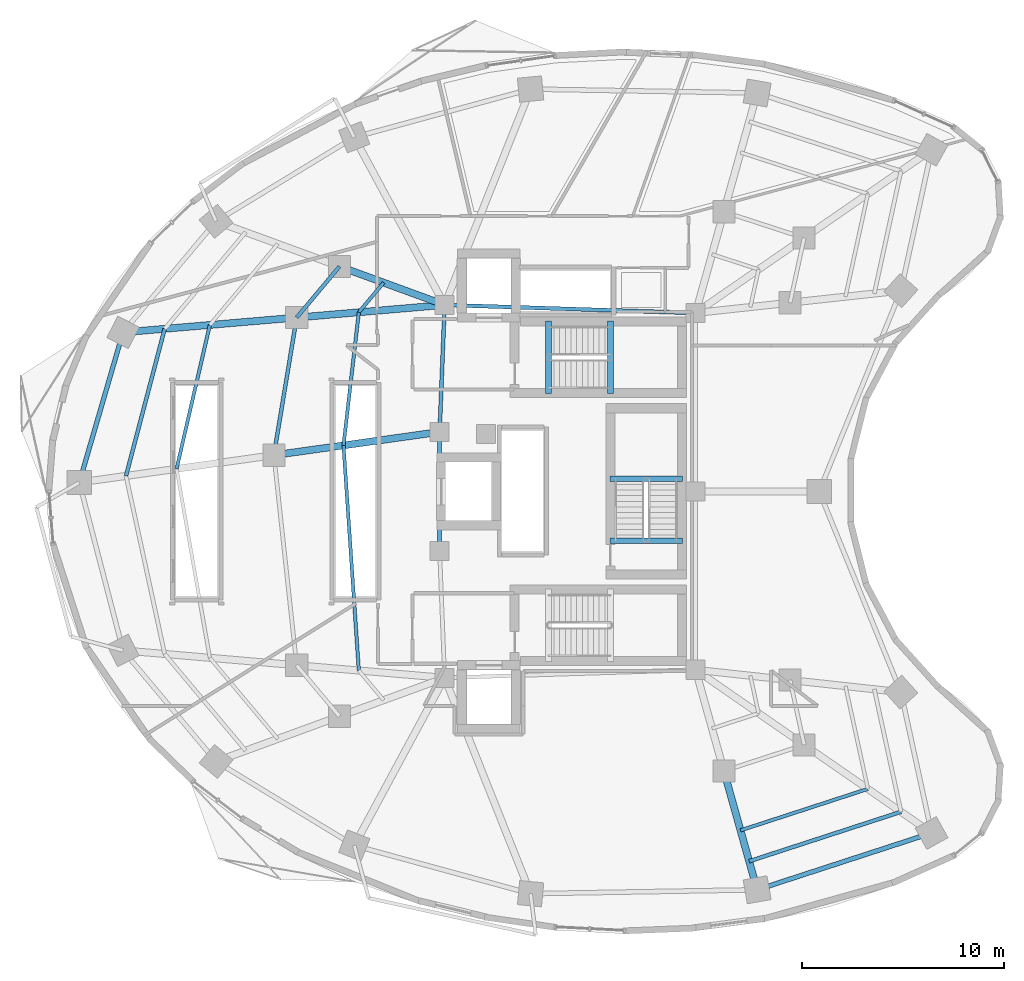
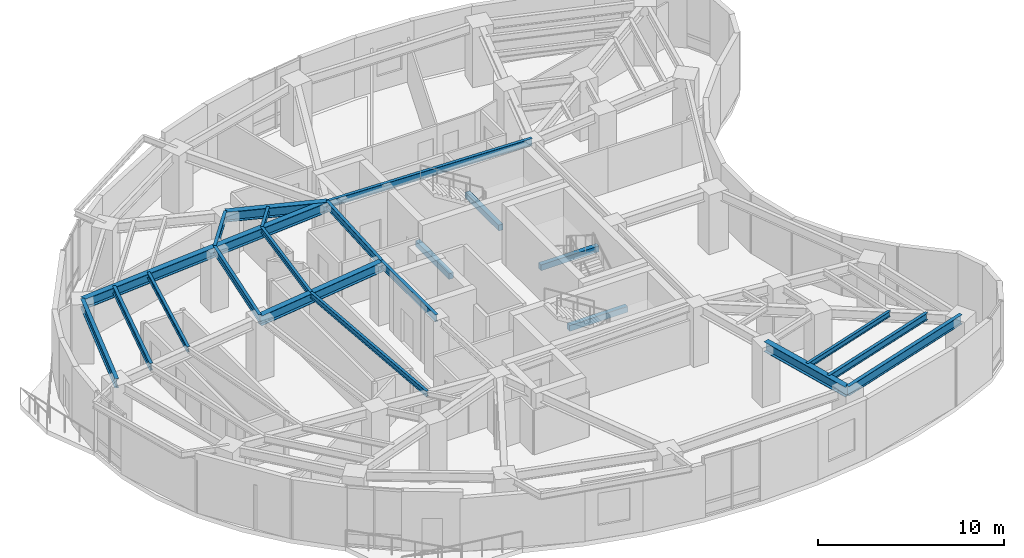
# One storey, part 3 of 12: 23 beams.
"""IFC4 building model written with IfcOpenShell, lengths in metres."""

from ifc_helpers import new_model, si_unit, direction, frame, origin, origin_2d, place, context, subcontext, project, spatial, rectangle, i_section, extrude, material, material_profile, profile_set, type_object, element, save


model = new_model("IFC4")

# Units and contexts
model_context = context("Model", 3, precision=1e-05, world=origin(), true_north=direction((0.0, 1.0)))
body_context = subcontext(model_context, "Body", "Model", "MODEL_VIEW")
ifc_project = project(units=[si_unit("LENGTHUNIT", "METRE"), si_unit("AREAUNIT", "SQUARE_METRE"), si_unit("VOLUMEUNIT", "CUBIC_METRE"), si_unit("PLANEANGLEUNIT", "RADIAN"), si_unit("MASSUNIT", "GRAM", prefix="KILO")], contexts=[model_context])

# Site, building, storey
site_placement = place(None, origin())
site = spatial("IfcSite", under=ifc_project, at=site_placement, CompositionType="ELEMENT")
building_placement = place(site_placement, origin())
building = spatial("IfcBuilding", under=site, at=building_placement, Name="Korentha Bioscience Tower", CompositionType="ELEMENT")
storey_placement = place(building_placement, frame((0.0, 0.0, 136.199951171875)))
storey = spatial("IfcBuildingStorey", under=building, at=storey_placement, Name="L31", CompositionType="ELEMENT", Elevation=136.199951171875)

# Beams
ifc_material_1 = material(Name="Concrete C50", Category="concrete")
ifc_material_profile_1 = material_profile(ifc_material_1, rectangle(XDim=0.280029296875, YDim=0.3798828125, at=origin_2d()), Name="Concrete C50")
ifc_profile_set_1 = profile_set([ifc_material_profile_1], Name="Concrete C50 (ST-HB380)")
beam_type_1 = type_object("IfcBeamType", Name="Concrete Stair Header Beam RC 280x380", PredefinedType="BEAM", material=ifc_profile_set_1)
for number, where, z_axis, x_axis, name in (
    (1, (30.25, 31.85009765625, -0.18994140625), (0.0, 1.0, 0.0), (-1.0, 0.0, 0.0), "L31 ST-1 Concrete Stair Header Beam"),
    (2, (33.330078125, 31.85009765625, 1.91015625), (0.0, 1.0, 0.0), (-1.0, 0.0, 0.0), "L31 ST-1 Half-Landing Header Beam 1"),
    (3, (36.89990234375, 24.550048828125, -0.18994140625), (-1.0, 0.0, 0.0), (0.0, -1.0, 0.0), "L31 ST-3 Concrete Stair Header Beam"),
    (4, (36.89990234375, 27.6298828125, 1.91015625), (-1.0, 0.0, 0.0), (0.0, -1.0, 0.0), "L31 ST-3 Half-Landing Header Beam 1"),
):
    element("IfcBeam", number, at=place(storey_placement, frame(where, z_axis=z_axis, x_axis=x_axis)), inside=storey, type_object=beam_type_1, Name=name, PredefinedType="BEAM", context=body_context, shape_type="SweptSolid", body=[
        extrude(rectangle(XDim=0.280029296875, YDim=0.3798828125, at=origin_2d()), origin(), (0.0, 0.0, 1.0), 3.599853515625),
    ])
ifc_material_2 = material(Name="Steel S355", Category="steel")
ifc_material_profile_2 = material_profile(ifc_material_2, i_section(OverallWidth=0.18994140625, OverallDepth=0.45703125, WebThickness=0.009033203125, FlangeThickness=0.014404296875, at=origin_2d()), Name="Steel S355")
ifc_profile_set_2 = profile_set([ifc_material_profile_2], Name="Steel S355 (MB-460)")
beam_type_2 = type_object("IfcBeamType", Name="Mid-Ring Tie Girder W460x74", PredefinedType="BEAM", material=ifc_profile_set_2)
beam_1_placement = place(storey_placement, frame((19.882568359375, 38.158935546875, 3.671630859375), z_axis=(-0.642121371708, -0.766602989817, 0.0), x_axis=(0.766602989817, -0.642121371708, 0.0)))
element("IfcBeam", 5, at=beam_1_placement, inside=storey, type_object=beam_type_2, Name="L31 Mid-Ring Tie Girder 05", PredefinedType="BEAM", context=body_context, shape_type="SweptSolid", body=[
    extrude(i_section(OverallWidth=0.18994140625, OverallDepth=0.45703125, WebThickness=0.009033203125, FlangeThickness=0.014404296875, at=origin_2d()), origin(), (0.0, 0.0, 1.0), 3.306640625),
])
beam_2_placement = place(storey_placement, frame((17.75927734375, 35.6240234375, 3.671630859375), z_axis=(-0.163580878592, -0.986529926641, 0.0), x_axis=(0.986529926641, -0.163580878592, 0.0)))
element("IfcBeam", 6, at=beam_2_placement, inside=storey, type_object=beam_type_2, Name="L31 Mid-Ring Tie Girder 06", PredefinedType="BEAM", context=body_context, shape_type="SweptSolid", body=[
    extrude(i_section(OverallWidth=0.18994140625, OverallDepth=0.45703125, WebThickness=0.009033203125, FlangeThickness=0.014404296875, at=origin_2d()), origin(), (0.0, 0.0, 1.0), 6.920654296875),
])
beam_3_placement = place(storey_placement, frame((37.550048828125, 35.85009765625, 3.671630859375), z_axis=(-0.999484526071, 0.032104238723, 0.0), x_axis=(-0.032104238723, -0.999484526071, 0.0)))
element("IfcBeam", 7, at=beam_3_placement, inside=storey, type_object=beam_type_2, Name="L31 Core Ring Tie Girder 01", PredefinedType="BEAM", context=body_context, shape_type="SweptSolid", body=[
    extrude(i_section(OverallWidth=0.18994140625, OverallDepth=0.45703125, WebThickness=0.009033203125, FlangeThickness=0.014404296875, at=origin_2d()), origin(), (0.0, 0.0, 1.0), 12.456298828125),
])
beam_4_placement = place(storey_placement, frame((25.10009765625, 36.25, 3.671630859375), z_axis=(-0.039651025576, -0.999213588864, 0.0), x_axis=(0.999213588864, -0.039651025576, 0.0)))
element("IfcBeam", 8, at=beam_4_placement, inside=storey, type_object=beam_type_2, Name="L31 Core Ring Tie Girder 02", PredefinedType="BEAM", context=body_context, shape_type="SweptSolid", body=[
    extrude(i_section(OverallWidth=0.18994140625, OverallDepth=0.45703125, WebThickness=0.009033203125, FlangeThickness=0.014404296875, at=origin_2d()), origin(), (0.0, 0.0, 1.0), 6.304931640625),
])
beam_5_placement = place(storey_placement, frame((24.85009765625, 29.949951171875, 3.671630859375), z_axis=(0.0, -1.0, 0.0), x_axis=(1.0, 0.0, 0.0)))
element("IfcBeam", 9, at=beam_5_placement, inside=storey, type_object=beam_type_2, Name="L31 Core Ring Tie Girder 03", PredefinedType="BEAM", context=body_context, shape_type="SweptSolid", body=[
    extrude(i_section(OverallWidth=0.18994140625, OverallDepth=0.45703125, WebThickness=0.009033203125, FlangeThickness=0.014404296875, at=origin_2d()), origin(), (0.0, 0.0, 1.0), 5.89990234375),
])
ifc_material_profile_3 = material_profile(ifc_material_2, i_section(OverallWidth=0.22802734375, OverallDepth=0.60791015625, WebThickness=0.01123046875, FlangeThickness=0.017333984375, at=origin_2d()), Name="Steel S355")
ifc_profile_set_3 = profile_set([ifc_material_profile_3], Name="Steel S355 (SB-610)")
beam_type_3 = type_object("IfcBeamType", Name="Perimeter Ring Spandrel Girder W610x113", PredefinedType="SPANDREL", material=ifc_profile_set_3)
beam_6_placement = place(storey_placement, frame((9.141845703125, 34.889404296875, 3.595947265625), z_axis=(-0.279486251653, -0.960149694129, 0.0), x_axis=(0.960149694129, -0.279486251653, 0.0)))
element("IfcBeam", 10, at=beam_6_placement, inside=storey, type_object=beam_type_3, Name="L31 Perimeter Spandrel Girder 06", PredefinedType="SPANDREL", context=body_context, shape_type="SweptSolid", body=[
    extrude(i_section(OverallWidth=0.22802734375, OverallDepth=0.60791015625, WebThickness=0.01123046875, FlangeThickness=0.017333984375, at=origin_2d()), origin(), (0.0, 0.0, 1.0), 7.756103515625),
])
beam_7_placement = place(storey_placement, frame((40.604248046875, 7.235107421875, 3.595947265625), z_axis=(0.950867758759, 0.309597327755, 0.0), x_axis=(-0.309597327755, 0.950867758759, 0.0)))
element("IfcBeam", 11, at=beam_7_placement, inside=storey, type_object=beam_type_3, Name="L31 Perimeter Spandrel Girder 12", PredefinedType="SPANDREL", context=body_context, shape_type="SweptSolid", body=[
    extrude(i_section(OverallWidth=0.22802734375, OverallDepth=0.60791015625, WebThickness=0.01123046875, FlangeThickness=0.017333984375, at=origin_2d()), origin(), (0.0, 0.0, 1.0), 9.101806640625),
])
ifc_material_profile_4 = material_profile(ifc_material_2, i_section(OverallWidth=0.18994140625, OverallDepth=0.45703125, WebThickness=0.009033203125, FlangeThickness=0.014404296875, at=origin_2d()), Name="Steel S355")
ifc_profile_set_4 = profile_set([ifc_material_profile_4], Name="Steel S355 (RB-460)")
beam_type_4 = type_object("IfcBeamType", Name="Radial Laboratory Beam W460x74", PredefinedType="BEAM", material=ifc_profile_set_4)
beam_8_placement = place(storey_placement, frame((11.2099609375, 35.065673828125, 3.671630859375), z_axis=(-0.254294231014, -0.967126901742, 0.0), x_axis=(0.967126901742, -0.254294231014, 0.0)))
element("IfcBeam", 12, at=beam_8_placement, inside=storey, type_object=beam_type_4, Name="L31 Secondary Floor Beam JSTO-06", PredefinedType="BEAM", context=body_context, shape_type="SweptSolid", body=[
    extrude(i_section(OverallWidth=0.18994140625, OverallDepth=0.45703125, WebThickness=0.009033203125, FlangeThickness=0.014404296875, at=origin_2d()), origin(), (0.0, 0.0, 1.0), 7.546142578125),
])
beam_9_placement = place(storey_placement, frame((40.20849609375, 8.64990234375, 3.671630859375), z_axis=(0.950866789802, 0.3096003037, 0.0), x_axis=(-0.3096003037, 0.950866789802, 0.0)))
element("IfcBeam", 13, at=beam_9_placement, inside=storey, type_object=beam_type_4, Name="L31 Secondary Floor Beam JSTO-12", PredefinedType="BEAM", context=body_context, shape_type="SweptSolid", body=[
    extrude(i_section(OverallWidth=0.18994140625, OverallDepth=0.45703125, WebThickness=0.009033203125, FlangeThickness=0.014404296875, at=origin_2d()), origin(), (0.0, 0.0, 1.0), 7.921875),
])
ifc_material_profile_5 = material_profile(ifc_material_2, i_section(OverallWidth=0.35009765625, OverallDepth=0.64990234375, WebThickness=0.01611328125, FlangeThickness=0.02490234375, at=origin_2d()), Name="Steel S355")
ifc_profile_set_5 = profile_set([ifc_material_profile_5], Name="Steel S355 (RB-650)")
beam_type_5 = type_object("IfcBeamType", Name="Radial Laboratory Girder CVS 650x208", PredefinedType="BEAM", material=ifc_profile_set_5)
beam_10_placement = place(storey_placement, frame((25.10009765625, 36.25, 3.574951171875), z_axis=(-0.939118010396, 0.343594765022, 0.0), x_axis=(-0.343594765022, -0.939118010396, 0.0)))
element("IfcBeam", 14, at=beam_10_placement, inside=storey, type_object=beam_type_5, Name="L31 Inner Radial Girder 05", PredefinedType="BEAM", context=body_context, shape_type="SweptSolid", body=[
    extrude(i_section(OverallWidth=0.35009765625, OverallDepth=0.64990234375, WebThickness=0.01611328125, FlangeThickness=0.02490234375, at=origin_2d()), origin(), (0.0, 0.0, 1.0), 5.5556640625),
])
beam_11_placement = place(storey_placement, frame((25.10009765625, 36.25, 3.574951171875), z_axis=(-0.996383934197, -0.084965026183, 0.0), x_axis=(0.084965026183, -0.996383934197, 0.0)))
element("IfcBeam", 15, at=beam_11_placement, inside=storey, type_object=beam_type_5, Name="L31 Inner Radial Girder 06", PredefinedType="BEAM", context=body_context, shape_type="SweptSolid", body=[
    extrude(i_section(OverallWidth=0.35009765625, OverallDepth=0.64990234375, WebThickness=0.01611328125, FlangeThickness=0.02490234375, at=origin_2d()), origin(), (0.0, 0.0, 1.0), 7.367431640625),
])
beam_12_placement = place(storey_placement, frame((17.75927734375, 35.6240234375, 3.574951171875), z_axis=(-0.996386071548, -0.084939957767, 0.0), x_axis=(0.084939957767, -0.996386071548, 0.0)))
element("IfcBeam", 16, at=beam_12_placement, inside=storey, type_object=beam_type_5, Name="L31 Outer Radial Girder 06", PredefinedType="BEAM", context=body_context, shape_type="SweptSolid", body=[
    extrude(i_section(OverallWidth=0.35009765625, OverallDepth=0.64990234375, WebThickness=0.01611328125, FlangeThickness=0.02490234375, at=origin_2d()), origin(), (0.0, 0.0, 1.0), 8.648681640625),
])
beam_13_placement = place(storey_placement, frame((24.85009765625, 29.949951171875, 3.574951171875), z_axis=(-0.990306752817, -0.13889757134, 0.0), x_axis=(0.13889757134, -0.990306752817, 0.0)))
element("IfcBeam", 17, at=beam_13_placement, inside=storey, type_object=beam_type_5, Name="L31 Inner Radial Girder 07", PredefinedType="BEAM", context=body_context, shape_type="SweptSolid", body=[
    extrude(i_section(OverallWidth=0.35009765625, OverallDepth=0.64990234375, WebThickness=0.01611328125, FlangeThickness=0.02490234375, at=origin_2d()), origin(), (0.0, 0.0, 1.0), 8.303466796875),
])
beam_14_placement = place(storey_placement, frame((38.954833984375, 13.129150390625, 3.574951171875), z_axis=(0.269490843458, -0.963002951861, 0.0), x_axis=(0.963002951861, 0.269490843458, 0.0)))
element("IfcBeam", 18, at=beam_14_placement, inside=storey, type_object=beam_type_5, Name="L31 Outer Radial Girder 12", PredefinedType="BEAM", context=body_context, shape_type="SweptSolid", body=[
    extrude(i_section(OverallWidth=0.35009765625, OverallDepth=0.64990234375, WebThickness=0.01611328125, FlangeThickness=0.02490234375, at=origin_2d()), origin(), (0.0, 0.0, 1.0), 6.120361328125),
])
ifc_material_profile_6 = material_profile(ifc_material_2, i_section(OverallWidth=0.1708984375, OverallDepth=0.35498046875, WebThickness=0.007080078125, FlangeThickness=0.01171875, at=origin_2d()), Name="Steel S355")
ifc_profile_set_6 = profile_set([ifc_material_profile_6], Name="Steel S355 (JB-360)")
beam_type_6 = type_object("IfcBeamType", Name="Secondary Laboratory Joist W360x51", PredefinedType="JOIST", material=ifc_profile_set_6)
beam_15_placement = place(storey_placement, frame((22.073974609375, 37.357177734375, 3.72265625), z_axis=(-0.64218549873, -0.766549271229, 0.0), x_axis=(0.766549271229, -0.64218549873, 0.0)))
element("IfcBeam", 19, at=beam_15_placement, inside=storey, type_object=beam_type_6, Name="L31 Inner Bay Joist 05", PredefinedType="JOIST", context=body_context, shape_type="SweptSolid", body=[
    extrude(i_section(OverallWidth=0.1708984375, OverallDepth=0.35498046875, WebThickness=0.007080078125, FlangeThickness=0.01171875, at=origin_2d()), origin(), (0.0, 0.0, 1.0), 1.91796875),
])
beam_16_placement = place(storey_placement, frame((13.450439453125, 35.256591796875, 3.72265625), z_axis=(-0.225236780605, -0.974304055551, 0.0), x_axis=(0.974304055551, -0.225236780605, 0.0)))
element("IfcBeam", 20, at=beam_16_placement, inside=storey, type_object=beam_type_6, Name="L31 Secondary Floor Beam JST-06", PredefinedType="JOIST", context=body_context, shape_type="SweptSolid", body=[
    extrude(i_section(OverallWidth=0.1708984375, OverallDepth=0.35498046875, WebThickness=0.007080078125, FlangeThickness=0.01171875, at=origin_2d()), origin(), (0.0, 0.0, 1.0), 7.3251953125),
])
beam_17_placement = place(storey_placement, frame((20.84228515625, 35.886962890625, 3.72265625), z_axis=(-0.114512623722, -0.993421793101, 0.0), x_axis=(0.993421793101, -0.114512623722, 0.0)))
element("IfcBeam", 21, at=beam_17_placement, inside=storey, type_object=beam_type_6, Name="L31 Inner Bay Joist 06", PredefinedType="JOIST", context=body_context, shape_type="SweptSolid", body=[
    extrude(i_section(OverallWidth=0.1708984375, OverallDepth=0.35498046875, WebThickness=0.007080078125, FlangeThickness=0.01171875, at=origin_2d()), origin(), (0.0, 0.0, 1.0), 6.649658203125),
])
beam_18_placement = place(storey_placement, frame((20.080810546875, 29.281005859375, 3.72265625), z_axis=(0.068025861704, -0.997683558118, 0.0), x_axis=(0.997683558118, 0.068025861704, 0.0)))
element("IfcBeam", 22, at=beam_18_placement, inside=storey, type_object=beam_type_6, Name="L31 Inner Bay Joist 07", PredefinedType="JOIST", context=body_context, shape_type="SweptSolid", body=[
    extrude(i_section(OverallWidth=0.1708984375, OverallDepth=0.35498046875, WebThickness=0.007080078125, FlangeThickness=0.01171875, at=origin_2d()), origin(), (0.0, 0.0, 1.0), 11.19384765625),
])
beam_19_placement = place(storey_placement, frame((39.779541015625, 10.18212890625, 3.72265625), z_axis=(0.950864890997, 0.309606135387, 0.0), x_axis=(-0.309606135387, 0.950864890997, 0.0)))
element("IfcBeam", 23, at=beam_19_placement, inside=storey, type_object=beam_type_6, Name="L31 Secondary Floor Beam JST-12", PredefinedType="JOIST", context=body_context, shape_type="SweptSolid", body=[
    extrude(i_section(OverallWidth=0.1708984375, OverallDepth=0.35498046875, WebThickness=0.007080078125, FlangeThickness=0.01171875, at=origin_2d()), origin(), (0.0, 0.0, 1.0), 6.644287109375),
])

save(model, "model.ifc")
